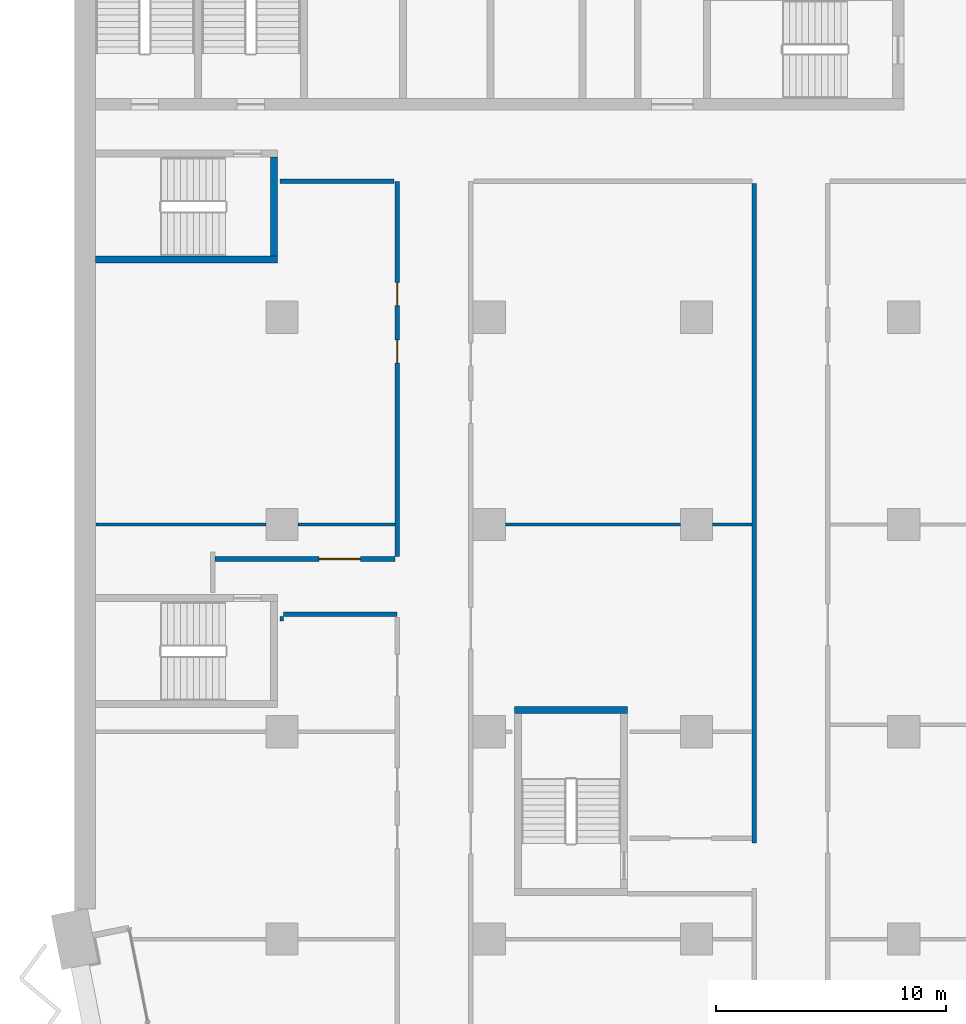
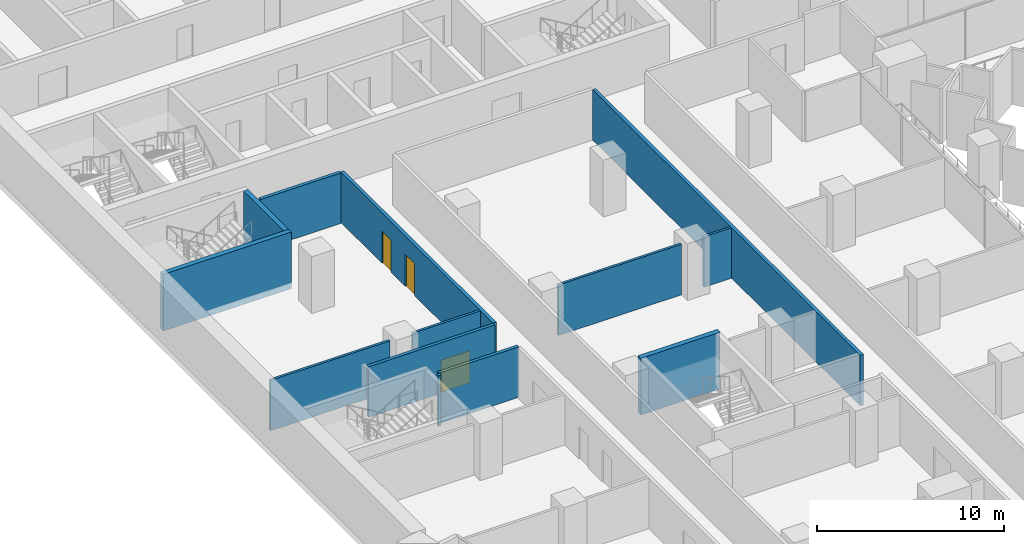
# One storey, part 12 of 29: 13 walls, 3 doors, 3 openings.
"""IFC4 building model written with IfcOpenShell, lengths in metres."""

from ifc_helpers import new_model, si_unit, direction, frame, frame_2d, origin, place, context, subcontext, project, spatial, rectangle, extrude, material, layer, layer_set, type_object, element, fill, save


model = new_model("IFC4")

# Units and contexts
model_context = context("Model", 3, precision=1e-05, world=origin(), true_north=direction((0.0, 1.0)))
body_context = subcontext(model_context, "Body", "Model", "MODEL_VIEW")
ifc_project = project(units=[si_unit("LENGTHUNIT", "METRE"), si_unit("AREAUNIT", "SQUARE_METRE"), si_unit("VOLUMEUNIT", "CUBIC_METRE"), si_unit("PLANEANGLEUNIT", "RADIAN"), si_unit("MASSUNIT", "GRAM", prefix="KILO")], contexts=[model_context])

# Site, building, storey
site_placement = place(None, origin())
site = spatial("IfcSite", under=ifc_project, at=site_placement, CompositionType="ELEMENT")
building_placement = place(site_placement, origin())
building = spatial("IfcBuilding", under=site, at=building_placement, Name="Hunhe Ridgeline Campus", CompositionType="ELEMENT")
storey_placement = place(building_placement, frame((0.0, 0.0, 65.39990234375)))
storey = spatial("IfcBuildingStorey", under=building, at=storey_placement, Name="L15", CompositionType="ELEMENT", Elevation=65.39990234375)

# Wall
ifc_material_1 = material(Name="Gypsum board partition")
ifc_layer_1 = layer(ifc_material_1, 0.199951171875)
ifc_layer_set_1 = layer_set([ifc_layer_1], Name="Corridor partition 200 gypsum board on steel studs")
wall_type_1 = type_object("IfcWallType", Name="Corridor partition 200 gypsum board on steel studs", PredefinedType="PARTITIONING", material=ifc_layer_set_1)
wall_1_placement = place(storey_placement, frame((14.0, 41.10009765625, 0.0), z_axis=(0.0, 0.0, 1.0), x_axis=(-1.0, 0.0, 0.0)))
element("IfcWall", 1, at=wall_1_placement, inside=storey, type_object=wall_type_1, Name="F-L15-wall-022", PredefinedType="PARTITIONING", context=body_context, shape_type="SweptSolid", body=[
    extrude(rectangle(XDim=4.925048828125, YDim=0.199951171875, at=frame_2d((2.46240234375, 0.0))), origin(), (0.0, 0.0, 1.0), 3.300048828125),
])

# Wall, opening, door
wall_2_placement = place(storey_placement, frame((6.10009765625, 43.5, 0.0), z_axis=(0.0, 0.0, 1.0), x_axis=(1.0, 0.0, 0.0)))
wall_2 = element("IfcWall", 2, at=wall_2_placement, inside=storey, type_object=wall_type_1, Name="F-L15-wall-023", PredefinedType="PARTITIONING", context=body_context, shape_type="SweptSolid", body=[
    extrude(rectangle(XDim=7.7998046875, YDim=0.199951171875, at=frame_2d((3.89990234375, 0.0))), origin(), (0.0, 0.0, 1.0), 3.300048828125),
])
opening_1_placement = place(wall_2_placement, frame((4.5, 0.0, 0.0)))
opening_1 = element("IfcOpeningElement", 3, at=opening_1_placement, cuts=wall_2, Name="Opening RD2-015", PredefinedType="OPENING", context=body_context, shape_type="SweptSolid", body=[
    extrude(rectangle(XDim=1.800048828125, YDim=2.10009765625, at=frame_2d((0.89990234375, 1.050048828125))), frame((0.0, 0.10009765625, 0.0), z_axis=(0.0, -1.0, 0.0), x_axis=(1.0, 0.0, 0.0)), (0.0, 0.0, 1.0), 0.199951171875),
])
ifc_material_2 = material(Name="Timber door leaf", Category="wood")
door_type_1 = type_object("IfcDoorType", Name="Double fire door 1800x2100 timber FD60", OperationType="DOUBLE_DOOR_SINGLE_SWING", PredefinedType="DOOR", material=ifc_material_2)
door_1_placement = place(opening_1_placement, origin())
door_1 = element("IfcDoor", 4, at=door_1_placement, inside=storey, type_object=door_type_1, Name="F-L15-door-015", OperationType="DOUBLE_DOOR_SINGLE_SWING", OverallHeight=2.10009765625, OverallWidth=1.800048828125, PredefinedType="DOOR", context=body_context, shape_type="SweptSolid", body=[
    extrude(rectangle(XDim=1.800048828125, YDim=2.10009765625, at=frame_2d((0.89990234375, 1.050048828125))), frame((0.0, 0.02490234375, 0.0), z_axis=(0.0, -1.0, 0.0), x_axis=(1.0, 0.0, 0.0)), (0.0, 0.0, 1.0), 0.050048828125),
])
fill(opening_1, door_1)

# Wall
wall_3_placement = place(storey_placement, frame((13.859375, 59.89990234375, 0.0), z_axis=(0.0, 0.0, 1.0), x_axis=(-1.0, 0.0, 0.0)))
element("IfcWall", 5, at=wall_3_placement, inside=storey, type_object=wall_type_1, Name="F-L15-wall-031", PredefinedType="PARTITIONING", context=body_context, shape_type="SweptSolid", body=[
    extrude(rectangle(XDim=4.955322265625, YDim=0.199951171875, at=frame_2d((2.4775390625, 0.0))), origin(), (0.0, 0.0, 1.0), 3.300048828125),
])

# Wall, openings, doors
wall_4_placement = place(storey_placement, frame((14.0, 43.60009765625, 0.0), z_axis=(0.0, 0.0, 1.0), x_axis=(0.0, 1.0, 0.0)))
wall_4 = element("IfcWall", 6, at=wall_4_placement, inside=storey, type_object=wall_type_1, Name="F-L15-wall-053", PredefinedType="PARTITIONING", context=body_context, shape_type="SweptSolid", body=[
    extrude(rectangle(XDim=16.2998046875, YDim=0.199951171875, at=frame_2d((8.14990234375, 0.0))), origin(), (0.0, 0.0, 1.0), 3.300048828125),
])
opening_2_placement = place(wall_4_placement, frame((8.40234375, 0.0, 0.0)))
opening_2 = element("IfcOpeningElement", 7, at=opening_2_placement, cuts=wall_4, Name="Opening RD1-019", PredefinedType="OPENING", context=body_context, shape_type="SweptSolid", body=[
    extrude(rectangle(XDim=1.0, YDim=2.10009765625, at=frame_2d((0.5, 1.050048828125))), frame((0.0, 0.10009765625, 0.0), z_axis=(0.0, -1.0, 0.0), x_axis=(1.0, 0.0, 0.0)), (0.0, 0.0, 1.0), 0.199951171875),
])
opening_3_placement = place(wall_4_placement, frame((10.90234375, 0.0, 0.0)))
opening_3 = element("IfcOpeningElement", 8, at=opening_3_placement, cuts=wall_4, Name="Opening RD1-021", PredefinedType="OPENING", context=body_context, shape_type="SweptSolid", body=[
    extrude(rectangle(XDim=1.0, YDim=2.10009765625, at=frame_2d((0.5, 1.050048828125))), frame((0.0, 0.10009765625, 0.0), z_axis=(0.0, -1.0, 0.0), x_axis=(1.0, 0.0, 0.0)), (0.0, 0.0, 1.0), 0.199951171875),
])
door_type_2 = type_object("IfcDoorType", Name="Single fire door 1000x2100 timber FD60", OperationType="NOTDEFINED", PredefinedType="DOOR", material=ifc_material_2)
door_2_placement = place(opening_2_placement, frame((1.0, 0.0, 0.0), z_axis=(0.0, 0.0, 1.0), x_axis=(-1.0, 0.0, 0.0)))
door_2 = element("IfcDoor", 9, at=door_2_placement, inside=storey, type_object=door_type_2, Name="F-L15-door-019", OperationType="SINGLE_SWING_LEFT", OverallHeight=2.10009765625, OverallWidth=1.0, PredefinedType="DOOR", context=body_context, shape_type="SweptSolid", body=[
    extrude(rectangle(XDim=1.0, YDim=2.10009765625, at=frame_2d((0.5, 1.050048828125))), frame((0.0, 0.02490234375, 0.0), z_axis=(0.0, -1.0, 0.0), x_axis=(1.0, 0.0, 0.0)), (0.0, 0.0, 1.0), 0.050048828125),
])
fill(opening_2, door_2)
door_3_placement = place(opening_3_placement, frame((1.0, 0.0, 0.0), z_axis=(0.0, 0.0, 1.0), x_axis=(-1.0, 0.0, 0.0)))
door_3 = element("IfcDoor", 10, at=door_3_placement, inside=storey, type_object=door_type_2, Name="F-L15-door-021", OperationType="SINGLE_SWING_LEFT", OverallHeight=2.10009765625, OverallWidth=1.0, PredefinedType="DOOR", context=body_context, shape_type="SweptSolid", body=[
    extrude(rectangle(XDim=1.0, YDim=2.10009765625, at=frame_2d((0.5, 1.050048828125))), frame((0.0, 0.02490234375, 0.0), z_axis=(0.0, -1.0, 0.0), x_axis=(1.0, 0.0, 0.0)), (0.0, 0.0, 1.0), 0.050048828125),
])
fill(opening_3, door_3)

# Walls
wall_5_placement = place(storey_placement, frame((29.5, 31.17626953125, 0.0), z_axis=(0.0, 0.0, 1.0), x_axis=(0.0, 1.0, 0.0)))
element("IfcWall", 11, at=wall_5_placement, inside=storey, type_object=wall_type_1, Name="F-L15-wall-056", PredefinedType="PARTITIONING", context=body_context, shape_type="SweptSolid", body=[
    extrude(rectangle(XDim=28.623779296875, YDim=0.199951171875, at=frame_2d((14.31201171875, 0.0))), origin(), (0.0, 0.0, 1.0), 3.300048828125),
])
ifc_layer_2 = layer(ifc_material_1, 0.14990234375)
ifc_layer_set_2 = layer_set([ifc_layer_2], Name="Room partition 150 gypsum board on steel studs")
wall_type_2 = type_object("IfcWallType", Name="Room partition 150 gypsum board on steel studs", PredefinedType="PARTITIONING", material=ifc_layer_set_2)
wall_6_placement = place(storey_placement, frame((0.919921875, 45.0, 0.0), z_axis=(0.0, 0.0, 1.0), x_axis=(1.0, 0.0, 0.0)))
element("IfcWall", 12, at=wall_6_placement, inside=storey, type_object=wall_type_2, Name="F-L15-wall-024", PredefinedType="PARTITIONING", context=body_context, shape_type="SweptSolid", body=[
    extrude(rectangle(XDim=7.380126953125, YDim=0.14990234375, at=frame_2d((3.68994140625, 0.0))), origin(), (0.0, 0.0, 1.0), 3.300048828125),
])
wall_7_placement = place(storey_placement, frame((9.699951171875, 45.0, 0.0), z_axis=(0.0, 0.0, 1.0), x_axis=(1.0, 0.0, 0.0)))
element("IfcWall", 13, at=wall_7_placement, inside=storey, type_object=wall_type_2, Name="F-L15-wall-025", PredefinedType="PARTITIONING", context=body_context, shape_type="SweptSolid", body=[
    extrude(rectangle(XDim=4.199951171875, YDim=0.14990234375, at=frame_2d((2.10009765625, 0.0))), origin(), (0.0, 0.0, 1.0), 3.300048828125),
])
wall_8_placement = place(storey_placement, frame((18.699951171875, 45.0, 0.0), z_axis=(0.0, 0.0, 1.0), x_axis=(1.0, 0.0, 0.0)))
element("IfcWall", 14, at=wall_8_placement, inside=storey, type_object=wall_type_2, Name="F-L15-wall-026", PredefinedType="PARTITIONING", context=body_context, shape_type="SweptSolid", body=[
    extrude(rectangle(XDim=7.60009765625, YDim=0.14990234375, at=frame_2d((3.800048828125, 0.0))), origin(), (0.0, 0.0, 1.0), 3.300048828125),
])
wall_9_placement = place(storey_placement, frame((27.699951171875, 45.0, 0.0), z_axis=(0.0, 0.0, 1.0), x_axis=(1.0, 0.0, 0.0)))
element("IfcWall", 15, at=wall_9_placement, inside=storey, type_object=wall_type_2, Name="F-L15-wall-027", PredefinedType="PARTITIONING", context=body_context, shape_type="SweptSolid", body=[
    extrude(rectangle(XDim=1.699951171875, YDim=0.14990234375, at=frame_2d((0.85009765625, 0.0))), origin(), (0.0, 0.0, 1.0), 3.300048828125),
])
wall_10_placement = place(storey_placement, frame((9.0, 41.0, 0.0), z_axis=(0.0, 0.0, 1.0), x_axis=(0.0, -1.0, 0.0)))
element("IfcWall", 16, at=wall_10_placement, inside=storey, type_object=wall_type_2, Name="F-L15-wall-051", PredefinedType="PARTITIONING", context=body_context, shape_type="SweptSolid", body=[
    extrude(rectangle(XDim=0.199951171875, YDim=0.14990234375, at=frame_2d((0.10009765625, 0.0))), origin(), (0.0, 0.0, 1.0), 3.300048828125),
])
ifc_material_3 = material(Name="Concrete C80", Category="concrete")
ifc_layer_3 = layer(ifc_material_3, 0.300048828125)
ifc_layer_set_3 = layer_set([ifc_layer_3], Name="Stair wall 300 reinforced concrete C80")
wall_type_3 = type_object("IfcWallType", Name="Stair wall 300 reinforced concrete C80", PredefinedType="SOLIDWALL", material=ifc_layer_set_3)
wall_11_placement = place(storey_placement, frame((19.10009765625, 36.949951171875, -0.39990234375), z_axis=(0.0, 0.0, 1.0), x_axis=(1.0, 0.0, 0.0)))
element("IfcWall", 17, at=wall_11_placement, inside=storey, type_object=wall_type_3, Name="L15 core wall 2", PredefinedType="SOLIDWALL", context=body_context, shape_type="SweptSolid", body=[
    extrude(rectangle(XDim=4.89990234375, YDim=0.300048828125, at=frame_2d((2.449951171875, 0.0))), origin(), (0.0, 0.0, 1.0), 3.699951171875),
])
wall_12_placement = place(storey_placement, frame((0.89990234375, 56.5, -0.39990234375), z_axis=(0.0, 0.0, 1.0), x_axis=(1.0, 0.0, 0.0)))
element("IfcWall", 18, at=wall_12_placement, inside=storey, type_object=wall_type_3, Name="L15 core wall 5", PredefinedType="SOLIDWALL", context=body_context, shape_type="SweptSolid", body=[
    extrude(rectangle(XDim=7.900146484375, YDim=0.300048828125, at=frame_2d((3.9501953125, 0.0))), origin(), (0.0, 0.0, 1.0), 3.699951171875),
])
wall_13_placement = place(storey_placement, frame((8.64990234375, 56.64990234375, -0.39990234375), z_axis=(0.0, 0.0, 1.0), x_axis=(0.0, 1.0, 0.0)))
element("IfcWall", 19, at=wall_13_placement, inside=storey, type_object=wall_type_3, Name="L15 core wall 42", PredefinedType="SOLIDWALL", context=body_context, shape_type="SweptSolid", body=[
    extrude(rectangle(XDim=4.300048828125, YDim=0.300048828125, at=frame_2d((2.14990234375, 0.0))), origin(), (0.0, 0.0, 1.0), 3.699951171875),
])

save(model, "model.ifc")
